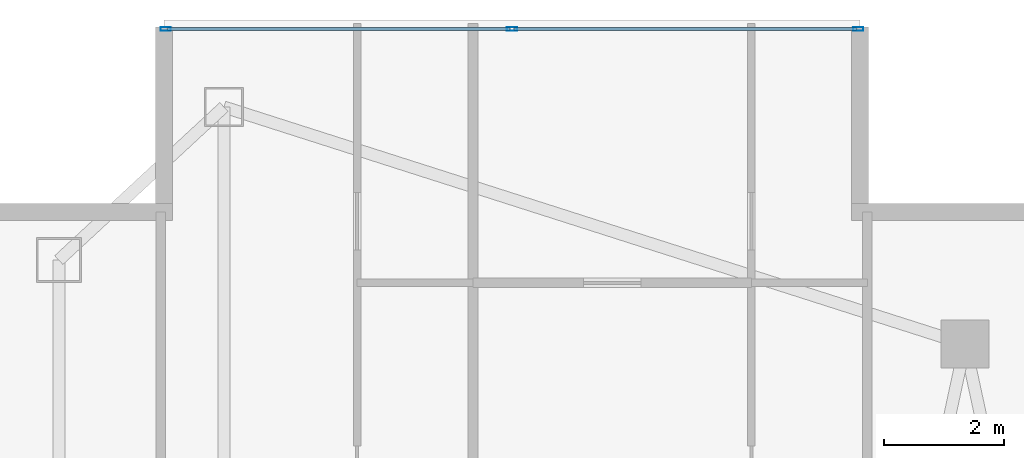
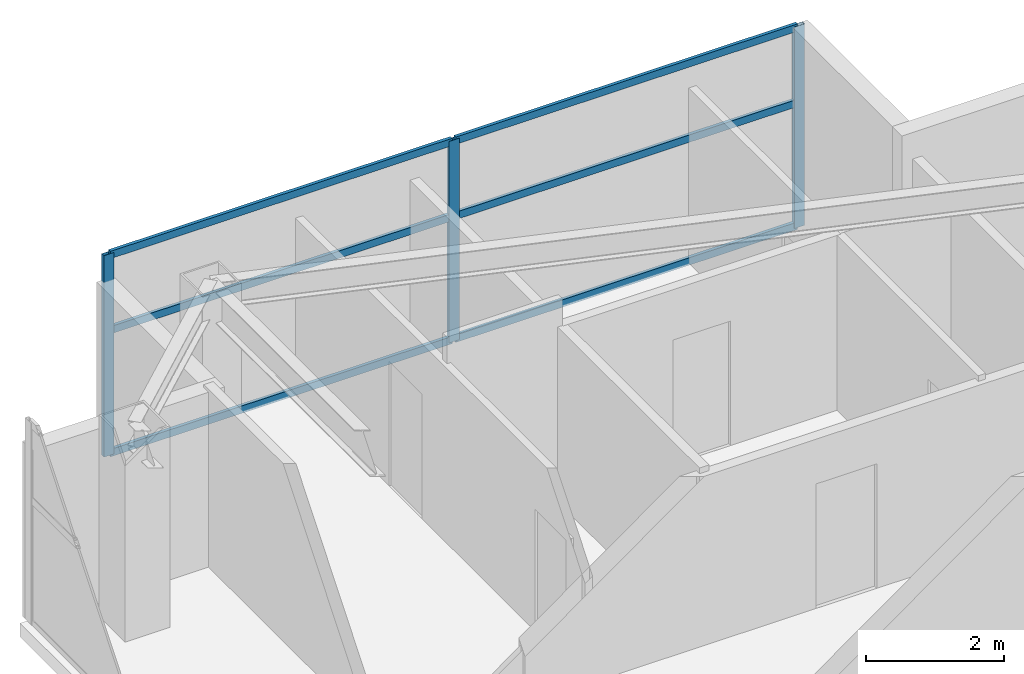
# One storey, part 20 of 27: 9 members, 1 element without a shape of its own.
"""IFC4 building model written with IfcOpenShell, lengths in metres."""

from ifc_helpers import new_model, si_unit, direction, frame, origin, origin_2d, place, context, subcontext, project, spatial, hollow_rectangle, extrude, material, layer, layer_set, material_profile, profile_set, type_object, element, aggregate, save


model = new_model("IFC4")

# Units and contexts
model_context = context("Model", 3, precision=1e-05, world=origin(), true_north=direction((0.0, 1.0)))
body_context = subcontext(model_context, "Body", "Model", "MODEL_VIEW")
ifc_project = project(units=[si_unit("LENGTHUNIT", "METRE"), si_unit("AREAUNIT", "SQUARE_METRE"), si_unit("VOLUMEUNIT", "CUBIC_METRE"), si_unit("PLANEANGLEUNIT", "RADIAN"), si_unit("MASSUNIT", "GRAM", prefix="KILO")], contexts=[model_context])

# Site, building, storey
site_placement = place(None, origin())
site = spatial("IfcSite", under=ifc_project, at=site_placement, CompositionType="ELEMENT")
building_placement = place(site_placement, origin())
building = spatial("IfcBuilding", under=site, at=building_placement, Name="Calvorn Quay Hotel", CompositionType="ELEMENT")
storey_placement = place(building_placement, frame((0.0, 0.0, 294.89990234375)))
storey = spatial("IfcBuildingStorey", under=building, at=storey_placement, Name="L73", CompositionType="ELEMENT", Elevation=294.89990234375)

# Curtain wall, members
ifc_material_1 = material(Name="Champagne Bronze Anodised Aluminium and Low-E Glass", Category="aluminium")
ifc_layer = layer(ifc_material_1, 0.219970703125)
ifc_layer_set = layer_set([ifc_layer], Name="CW-SYS-Z4")
curtain_wall_type = type_object("IfcCurtainWallType", Name="CW-SYS-Z4", PredefinedType="NOTDEFINED", material=ifc_layer_set)
curtain_wall_placement = place(storey_placement, origin())
curtain_wall = element("IfcCurtainWall", 1, at=curtain_wall_placement, inside=storey, type_object=curtain_wall_type, Name="Inner Court Curtain Wall L73-N1", PredefinedType="NOTDEFINED")
ifc_material_2 = material(Name="Champagne Bronze Anodised Aluminium 6063-T6", Category="aluminium")
ifc_material_profile_1 = material_profile(ifc_material_2, hollow_rectangle(XDim=0.06494140625, YDim=0.169921875, WallThickness=0.00341796875, at=origin_2d()), Name="ALU-M170x65x3.5")
ifc_profile_set_1 = profile_set([ifc_material_profile_1], Name="Champagne Bronze Anodised Aluminium 6063-T6")
member_type_1 = type_object("IfcMemberType", Name="CW-SYS-Z4-MUL", PredefinedType="MULLION", material=ifc_profile_set_1)
member_1_placement = place(storey_placement, frame((14.77001953125, 50.85009765625, 0.0), z_axis=(0.0, 0.0, 1.0), x_axis=(0.0, -1.0, 0.0)))
member_1 = element("IfcMember", 2, at=member_1_placement, type_object=member_type_1, Name="CW-L73-N1 mullion 1", PredefinedType="MULLION", context=body_context, shape_type="SweptSolid", body=[
    extrude(hollow_rectangle(XDim=0.06494140625, YDim=0.169921875, WallThickness=0.00341796875, at=origin_2d()), origin(), (0.0, 0.0, 1.0), 3.56005859375),
])
member_2_placement = place(storey_placement, frame((9.0, 50.85009765625, 0.0), z_axis=(0.0, 0.0, 1.0), x_axis=(0.0, -1.0, 0.0)))
member_2 = element("IfcMember", 3, at=member_2_placement, type_object=member_type_1, Name="CW-L73-N1 mullion 2", PredefinedType="MULLION", context=body_context, shape_type="SweptSolid", body=[
    extrude(hollow_rectangle(XDim=0.06494140625, YDim=0.169921875, WallThickness=0.00341796875, at=origin_2d()), origin(), (0.0, 0.0, 1.0), 3.56005859375),
])
member_3_placement = place(storey_placement, frame((3.22998046875, 50.85009765625, 0.0), z_axis=(0.0, 0.0, 1.0), x_axis=(0.0, -1.0, 0.0)))
member_3 = element("IfcMember", 4, at=member_3_placement, type_object=member_type_1, Name="CW-L73-N1 mullion 3", PredefinedType="MULLION", context=body_context, shape_type="SweptSolid", body=[
    extrude(hollow_rectangle(XDim=0.06494140625, YDim=0.169921875, WallThickness=0.00341796875, at=origin_2d()), origin(), (0.0, 0.0, 1.0), 3.56005859375),
])
ifc_material_3 = material(Name="Champagne Bronze Anodised Aluminium 6063-T6", Category="aluminium")
ifc_material_profile_2 = material_profile(ifc_material_3, hollow_rectangle(XDim=0.054931640625, YDim=0.1298828125, WallThickness=0.003173828125, at=origin_2d()), Name="ALU-T130x55x3.2")
ifc_profile_set_2 = profile_set([ifc_material_profile_2], Name="Champagne Bronze Anodised Aluminium 6063-T6")
member_type_2 = type_object("IfcMemberType", Name="CW-SYS-Z4-TRN", PredefinedType="USERDEFINED", material=ifc_profile_set_2)
member_4_placement = place(storey_placement, frame((14.739990234375, 50.85009765625, 0.030029296875), z_axis=(-1.0, 0.0, 0.0), x_axis=(0.0, -1.0, 0.0)))
member_4 = element("IfcMember", 5, at=member_4_placement, type_object=member_type_2, Name="CW-L73-N1 transom 1.1", ObjectType="TRANSOM", PredefinedType="USERDEFINED", context=body_context, shape_type="SweptSolid", body=[
    extrude(hollow_rectangle(XDim=0.054931640625, YDim=0.1298828125, WallThickness=0.003173828125, at=origin_2d()), origin(), (0.0, 0.0, 1.0), 5.7099609375),
])
member_5_placement = place(storey_placement, frame((14.739990234375, 50.85009765625, 2.2001953125), z_axis=(-1.0, 0.0, 0.0), x_axis=(0.0, -1.0, 0.0)))
member_5 = element("IfcMember", 6, at=member_5_placement, type_object=member_type_2, Name="CW-L73-N1 transom 1.2", ObjectType="TRANSOM", PredefinedType="USERDEFINED", context=body_context, shape_type="SweptSolid", body=[
    extrude(hollow_rectangle(XDim=0.054931640625, YDim=0.1298828125, WallThickness=0.003173828125, at=origin_2d()), origin(), (0.0, 0.0, 1.0), 5.7099609375),
])
member_6_placement = place(storey_placement, frame((14.739990234375, 50.85009765625, 3.530029296875), z_axis=(-1.0, 0.0, 0.0), x_axis=(0.0, -1.0, 0.0)))
member_6 = element("IfcMember", 7, at=member_6_placement, type_object=member_type_2, Name="CW-L73-N1 transom 1.3", ObjectType="TRANSOM", PredefinedType="USERDEFINED", context=body_context, shape_type="SweptSolid", body=[
    extrude(hollow_rectangle(XDim=0.054931640625, YDim=0.1298828125, WallThickness=0.003173828125, at=origin_2d()), origin(), (0.0, 0.0, 1.0), 5.7099609375),
])
member_7_placement = place(storey_placement, frame((8.969970703125, 50.85009765625, 0.030029296875), z_axis=(-1.0, 0.0, 0.0), x_axis=(0.0, -1.0, 0.0)))
member_7 = element("IfcMember", 8, at=member_7_placement, type_object=member_type_2, Name="CW-L73-N1 transom 2.1", ObjectType="TRANSOM", PredefinedType="USERDEFINED", context=body_context, shape_type="SweptSolid", body=[
    extrude(hollow_rectangle(XDim=0.054931640625, YDim=0.1298828125, WallThickness=0.003173828125, at=origin_2d()), origin(), (0.0, 0.0, 1.0), 5.7099609375),
])
member_8_placement = place(storey_placement, frame((8.969970703125, 50.85009765625, 2.2001953125), z_axis=(-1.0, 0.0, 0.0), x_axis=(0.0, -1.0, 0.0)))
member_8 = element("IfcMember", 9, at=member_8_placement, type_object=member_type_2, Name="CW-L73-N1 transom 2.2", ObjectType="TRANSOM", PredefinedType="USERDEFINED", context=body_context, shape_type="SweptSolid", body=[
    extrude(hollow_rectangle(XDim=0.054931640625, YDim=0.1298828125, WallThickness=0.003173828125, at=origin_2d()), origin(), (0.0, 0.0, 1.0), 5.7099609375),
])
member_9_placement = place(storey_placement, frame((8.969970703125, 50.85009765625, 3.530029296875), z_axis=(-1.0, 0.0, 0.0), x_axis=(0.0, -1.0, 0.0)))
member_9 = element("IfcMember", 10, at=member_9_placement, type_object=member_type_2, Name="CW-L73-N1 transom 2.3", ObjectType="TRANSOM", PredefinedType="USERDEFINED", context=body_context, shape_type="SweptSolid", body=[
    extrude(hollow_rectangle(XDim=0.054931640625, YDim=0.1298828125, WallThickness=0.003173828125, at=origin_2d()), origin(), (0.0, 0.0, 1.0), 5.7099609375),
])
aggregate(curtain_wall, [member_1, member_2, member_3, member_4, member_5, member_6, member_7, member_8, member_9])

save(model, "model.ifc")
